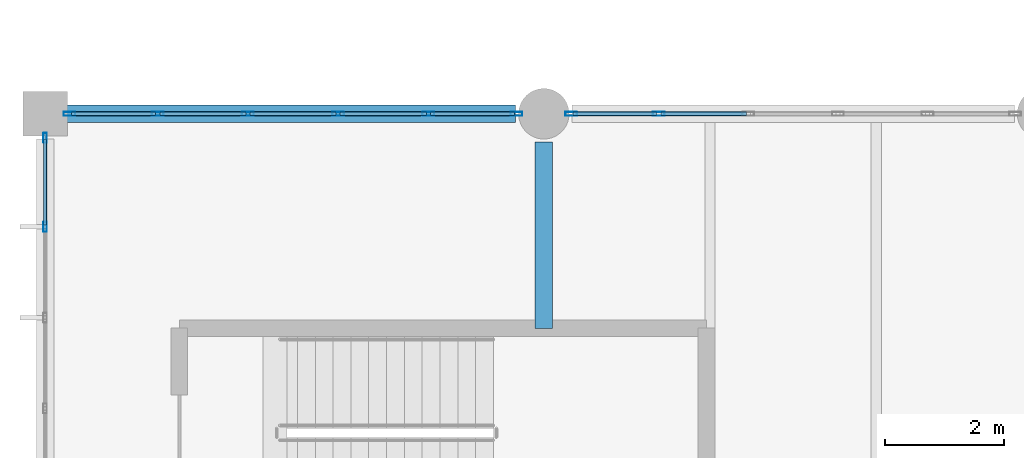
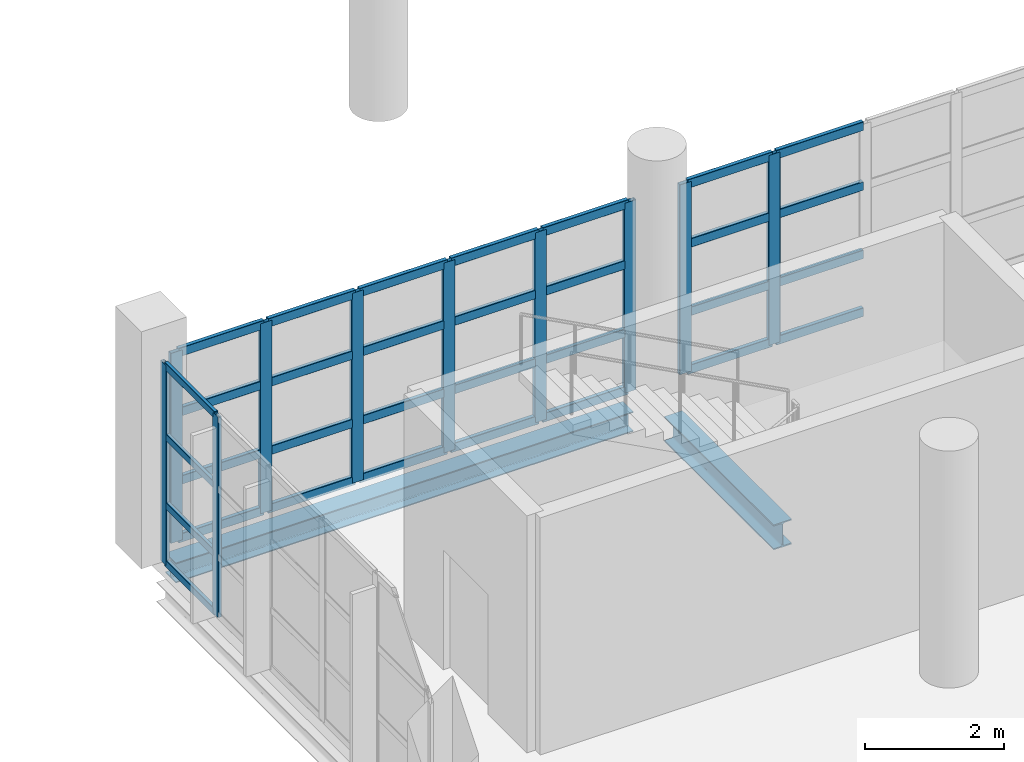
# One storey, part 72 of 177: 42 members, 2 beams, 3 elements without a shape of their own.
"""IFC4 building model written with IfcOpenShell, lengths in metres."""

from ifc_helpers import new_model, si_unit, direction, frame, origin, origin_2d, place, context, subcontext, project, spatial, hollow_rectangle, i_section, extrude, material, layer, layer_set, material_profile, profile_set, type_object, element, aggregate, save


model = new_model("IFC4")

# Units and contexts
model_context = context("Model", 3, precision=1e-05, world=origin(), true_north=direction((0.0, 1.0)))
body_context = subcontext(model_context, "Body", "Model", "MODEL_VIEW")
ifc_project = project(units=[si_unit("LENGTHUNIT", "METRE"), si_unit("AREAUNIT", "SQUARE_METRE"), si_unit("VOLUMEUNIT", "CUBIC_METRE"), si_unit("PLANEANGLEUNIT", "RADIAN"), si_unit("MASSUNIT", "GRAM", prefix="KILO"), si_unit("THERMODYNAMICTEMPERATUREUNIT", "KELVIN"), si_unit("POWERUNIT", "WATT")], contexts=[model_context])

# Site, building, storey
site_placement = place(None, origin())
site = spatial("IfcSite", under=ifc_project, at=site_placement, CompositionType="ELEMENT")
building_placement = place(site_placement, origin())
building = spatial("IfcBuilding", under=site, at=building_placement, Name="Mavoryth Pier Ferry Terminal", CompositionType="ELEMENT")
storey_placement = place(building_placement, frame((0.0, 0.0, 5.43994140625)))
storey = spatial("IfcBuildingStorey", under=building, at=storey_placement, Name="L01", CompositionType="ELEMENT", Elevation=5.43994140625)

# Beam
ifc_material_1 = material(Name="Steel S355J2", Category="steel")
ifc_material_profile_1 = material_profile(ifc_material_1, i_section(OverallWidth=0.300048828125, OverallDepth=0.43994140625, WebThickness=0.011474609375, FlangeThickness=0.02099609375, FilletRadius=0.027099609375, at=origin_2d()), Name="HEA 450", Category="steel")
ifc_profile_set_1 = profile_set([ifc_material_profile_1], Name="Steel S355J2 - HEA 450")
beam_type_1 = type_object("IfcBeamType", Name="Beam-Steel-HEA450", PredefinedType="BEAM", material=ifc_profile_set_1)
beam_1_placement = place(storey_placement, frame((8.39990234375, 102.3798828125, -0.5), z_axis=(0.0, 1.0, 0.0), x_axis=(-1.0, 0.0, 0.0)))
element("IfcBeam", 1, at=beam_1_placement, inside=storey, type_object=beam_type_1, Name="Beam B01-SB03-0091", PredefinedType="BEAM", context=body_context, shape_type="SweptSolid", body=[
    extrude(i_section(OverallWidth=0.300048828125, OverallDepth=0.43994140625, WebThickness=0.011474609375, FlangeThickness=0.02099609375, FilletRadius=0.027099609375, at=origin_2d()), origin(), (0.0, 0.0, 1.0), 3.14501953125),
])

# Curtain wall, members
ifc_material_2 = material(Name="Anodised Aluminium and Solar-Control Low-E Glass", Category="aluminium")
ifc_layer_1 = layer(ifc_material_2, 0.179931640625, Name="Anodised Aluminium and Solar-Control Low-E Glass", Category="aluminium")
ifc_layer_set_1 = layer_set([ifc_layer_1], Name="Anodised Aluminium and Solar-Control Low-E Glass - CW-Concourse-Mod1400")
curtain_wall_type_1 = type_object("IfcCurtainWallType", Name="CW-Concourse-Mod1400", PredefinedType="USERDEFINED", material=ifc_layer_set_1)
curtain_wall_1_placement = place(storey_placement, origin())
curtain_wall_1 = element("IfcCurtainWall", 2, at=curtain_wall_1_placement, inside=storey, type_object=curtain_wall_type_1, Name="Curtain Wall CW-0122-032", ObjectType="UNITISED CURTAIN WALL", PredefinedType="USERDEFINED")
ifc_material_3 = material(Name="Anodised Aluminium EN AW-6063", Category="aluminium")
ifc_material_profile_2 = material_profile(ifc_material_3, hollow_rectangle(XDim=0.06005859375, YDim=0.1650390625, WallThickness=0.00390625, InnerFilletRadius=0.00390625, OuterFilletRadius=0.008056640625, at=origin_2d()), Name="AL-MULL 165x60x4", Category="aluminium")
ifc_profile_set_2 = profile_set([ifc_material_profile_2], Name="Anodised Aluminium EN AW-6063 - AL-MULL 165x60x4")
member_type_1 = type_object("IfcMemberType", Name="Mullion-Alum-165x60", PredefinedType="MULLION", material=ifc_profile_set_2)
member_1_placement = place(storey_placement, frame((0.0, 105.594970703125, 0.0), z_axis=(0.0, 0.0, 1.0), x_axis=(1.0, 0.0, 0.0)))
member_1 = element("IfcMember", 3, at=member_1_placement, type_object=member_type_1, Name="CW01 mullion 1", PredefinedType="MULLION", context=body_context, shape_type="SweptSolid", body=[
    extrude(hollow_rectangle(XDim=0.06005859375, YDim=0.1650390625, WallThickness=0.00390625, InnerFilletRadius=0.00390625, OuterFilletRadius=0.008056640625, at=origin_2d()), origin(), (0.0, 0.0, 1.0), 3.51513671875),
])
member_2_placement = place(storey_placement, frame((0.0, 104.094970703125, 0.0), z_axis=(0.0, 0.0, 1.0), x_axis=(1.0, 0.0, 0.0)))
member_2 = element("IfcMember", 4, at=member_2_placement, type_object=member_type_1, Name="CW01 mullion 2", PredefinedType="MULLION", context=body_context, shape_type="SweptSolid", body=[
    extrude(hollow_rectangle(XDim=0.06005859375, YDim=0.1650390625, WallThickness=0.00390625, InnerFilletRadius=0.00390625, OuterFilletRadius=0.008056640625, at=origin_2d()), origin(), (0.0, 0.0, 1.0), 3.51513671875),
])

ifc_layer_2 = layer(ifc_material_2, 0.219970703125, Name="Anodised Aluminium and Solar-Control Low-E Glass", Category="aluminium")
ifc_layer_set_2 = layer_set([ifc_layer_2], Name="Anodised Aluminium and Solar-Control Low-E Glass - CW-Seaward-Tall-Mod1400")
curtain_wall_type_2 = type_object("IfcCurtainWallType", Name="CW-Seaward-Tall-Mod1400", PredefinedType="USERDEFINED", material=ifc_layer_set_2)
curtain_wall_2_placement = place(storey_placement, origin())
curtain_wall_2 = element("IfcCurtainWall", 5, at=curtain_wall_2_placement, inside=storey, type_object=curtain_wall_type_2, Name="Curtain Wall CW-0144-036", ObjectType="UNITISED CURTAIN WALL", PredefinedType="USERDEFINED")
ifc_material_profile_3 = material_profile(ifc_material_3, hollow_rectangle(XDim=0.070068359375, YDim=0.199951171875, WallThickness=0.0048828125, InnerFilletRadius=0.0048828125, OuterFilletRadius=0.010009765625, at=origin_2d()), Name="AL-MULL 200x70x5", Category="aluminium")
ifc_profile_set_3 = profile_set([ifc_material_profile_3], Name="Anodised Aluminium EN AW-6063 - AL-MULL 200x70x5")
member_type_2 = type_object("IfcMemberType", Name="Mullion-Alum-200x70", PredefinedType="MULLION", material=ifc_profile_set_3)
member_3_placement = place(storey_placement, frame((7.93994140625, 106.0, 0.0), z_axis=(0.0, 0.0, 1.0), x_axis=(0.0, -1.0, 0.0)))
member_3 = element("IfcMember", 6, at=member_3_placement, type_object=member_type_2, Name="CW03 mullion 1", PredefinedType="MULLION", context=body_context, shape_type="SweptSolid", body=[
    extrude(hollow_rectangle(XDim=0.070068359375, YDim=0.199951171875, WallThickness=0.0048828125, InnerFilletRadius=0.0048828125, OuterFilletRadius=0.010009765625, at=origin_2d()), origin(), (0.0, 0.0, 1.0), 3.3349609375),
])
member_4_placement = place(storey_placement, frame((6.455078125, 106.0, 0.0), z_axis=(0.0, 0.0, 1.0), x_axis=(0.0, -1.0, 0.0)))
member_4 = element("IfcMember", 7, at=member_4_placement, type_object=member_type_2, Name="CW03 mullion 2", PredefinedType="MULLION", context=body_context, shape_type="SweptSolid", body=[
    extrude(hollow_rectangle(XDim=0.070068359375, YDim=0.199951171875, WallThickness=0.0048828125, InnerFilletRadius=0.0048828125, OuterFilletRadius=0.010009765625, at=origin_2d()), origin(), (0.0, 0.0, 1.0), 3.3349609375),
])
member_5_placement = place(storey_placement, frame((4.93505859375, 106.0, 0.0), z_axis=(0.0, 0.0, 1.0), x_axis=(0.0, -1.0, 0.0)))
member_5 = element("IfcMember", 8, at=member_5_placement, type_object=member_type_2, Name="CW03 mullion 3", PredefinedType="MULLION", context=body_context, shape_type="SweptSolid", body=[
    extrude(hollow_rectangle(XDim=0.070068359375, YDim=0.199951171875, WallThickness=0.0048828125, InnerFilletRadius=0.0048828125, OuterFilletRadius=0.010009765625, at=origin_2d()), origin(), (0.0, 0.0, 1.0), 3.3349609375),
])
member_6_placement = place(storey_placement, frame((3.4150390625, 106.0, 0.0), z_axis=(0.0, 0.0, 1.0), x_axis=(0.0, -1.0, 0.0)))
member_6 = element("IfcMember", 9, at=member_6_placement, type_object=member_type_2, Name="CW03 mullion 4", PredefinedType="MULLION", context=body_context, shape_type="SweptSolid", body=[
    extrude(hollow_rectangle(XDim=0.070068359375, YDim=0.199951171875, WallThickness=0.0048828125, InnerFilletRadius=0.0048828125, OuterFilletRadius=0.010009765625, at=origin_2d()), origin(), (0.0, 0.0, 1.0), 3.3349609375),
])
member_7_placement = place(storey_placement, frame((1.89501953125, 106.0, 0.0), z_axis=(0.0, 0.0, 1.0), x_axis=(0.0, -1.0, 0.0)))
member_7 = element("IfcMember", 10, at=member_7_placement, type_object=member_type_2, Name="CW03 mullion 5", PredefinedType="MULLION", context=body_context, shape_type="SweptSolid", body=[
    extrude(hollow_rectangle(XDim=0.070068359375, YDim=0.199951171875, WallThickness=0.0048828125, InnerFilletRadius=0.0048828125, OuterFilletRadius=0.010009765625, at=origin_2d()), origin(), (0.0, 0.0, 1.0), 3.3349609375),
])
member_8_placement = place(storey_placement, frame((0.409912109375, 106.0, 0.0), z_axis=(0.0, 0.0, 1.0), x_axis=(0.0, -1.0, 0.0)))
member_8 = element("IfcMember", 11, at=member_8_placement, type_object=member_type_2, Name="CW03 mullion 6", PredefinedType="MULLION", context=body_context, shape_type="SweptSolid", body=[
    extrude(hollow_rectangle(XDim=0.070068359375, YDim=0.199951171875, WallThickness=0.0048828125, InnerFilletRadius=0.0048828125, OuterFilletRadius=0.010009765625, at=origin_2d()), origin(), (0.0, 0.0, 1.0), 3.3349609375),
])

curtain_wall_3_placement = place(storey_placement, origin())
curtain_wall_3 = element("IfcCurtainWall", 12, at=curtain_wall_3_placement, inside=storey, type_object=curtain_wall_type_2, Name="Curtain Wall CW-0144-040", ObjectType="UNITISED CURTAIN WALL", PredefinedType="USERDEFINED")
member_9_placement = place(storey_placement, frame((10.3349609375, 106.0, 0.0), z_axis=(0.0, 0.0, 1.0), x_axis=(0.0, -1.0, 0.0)))
member_9 = element("IfcMember", 13, at=member_9_placement, type_object=member_type_2, Name="CW03 mullion 5", PredefinedType="MULLION", context=body_context, shape_type="SweptSolid", body=[
    extrude(hollow_rectangle(XDim=0.070068359375, YDim=0.199951171875, WallThickness=0.0048828125, InnerFilletRadius=0.0048828125, OuterFilletRadius=0.010009765625, at=origin_2d()), origin(), (0.0, 0.0, 1.0), 3.3349609375),
])
member_10_placement = place(storey_placement, frame((8.860107421875, 106.0, 0.0), z_axis=(0.0, 0.0, 1.0), x_axis=(0.0, -1.0, 0.0)))
member_10 = element("IfcMember", 14, at=member_10_placement, type_object=member_type_2, Name="CW03 mullion 6", PredefinedType="MULLION", context=body_context, shape_type="SweptSolid", body=[
    extrude(hollow_rectangle(XDim=0.070068359375, YDim=0.199951171875, WallThickness=0.0048828125, InnerFilletRadius=0.0048828125, OuterFilletRadius=0.010009765625, at=origin_2d()), origin(), (0.0, 0.0, 1.0), 3.3349609375),
])

# Beam
ifc_material_profile_4 = material_profile(ifc_material_1, i_section(OverallWidth=0.300048828125, OverallDepth=0.35009765625, WebThickness=0.010009765625, FlangeThickness=0.017578125, FilletRadius=0.027099609375, at=origin_2d()), Name="HEA 360", Category="steel")
ifc_profile_set_4 = profile_set([ifc_material_profile_4], Name="Steel S355J2 - HEA 360")
beam_type_2 = type_object("IfcBeamType", Name="Spandrel-Steel-HEA360", PredefinedType="SPANDREL", material=ifc_profile_set_4)
beam_2_placement = place(storey_placement, frame((0.324951171875, 106.0, -0.454833984375), z_axis=(1.0, 0.0, 0.0), x_axis=(0.0, 1.0, 0.0)))
element("IfcBeam", 15, at=beam_2_placement, inside=storey, type_object=beam_type_2, Name="Beam B01-SP03-0074", PredefinedType="SPANDREL", context=body_context, shape_type="SweptSolid", body=[
    extrude(i_section(OverallWidth=0.300048828125, OverallDepth=0.35009765625, WebThickness=0.010009765625, FlangeThickness=0.017578125, FilletRadius=0.027099609375, at=origin_2d()), origin(), (0.0, 0.0, 1.0), 7.60009765625),
])

# Member
ifc_material_profile_5 = material_profile(ifc_material_3, hollow_rectangle(XDim=0.06005859375, YDim=0.125, WallThickness=0.00390625, InnerFilletRadius=0.00390625, OuterFilletRadius=0.008056640625, at=origin_2d()), Name="AL-TRAN 125x60x4", Category="aluminium")
ifc_profile_set_5 = profile_set([ifc_material_profile_5], Name="Anodised Aluminium EN AW-6063 - AL-TRAN 125x60x4")
member_type_3 = type_object("IfcMemberType", Name="Transom-Alum-125x60", PredefinedType="USERDEFINED", material=ifc_profile_set_5)
member_11_placement = place(storey_placement, frame((0.0, 105.56494140625, 0.030029296875), z_axis=(0.0, -1.0, 0.0), x_axis=(1.0, 0.0, 0.0)))
member_11 = element("IfcMember", 16, at=member_11_placement, type_object=member_type_3, Name="CW01 transom 1.1", ObjectType="TRANSOM", PredefinedType="USERDEFINED", context=body_context, shape_type="SweptSolid", body=[
    extrude(hollow_rectangle(XDim=0.06005859375, YDim=0.125, WallThickness=0.00390625, InnerFilletRadius=0.00390625, OuterFilletRadius=0.008056640625, at=origin_2d()), origin(), (0.0, 0.0, 1.0), 1.43994140625),
])

member_12_placement = place(storey_placement, frame((0.0, 105.56494140625, 1.050048828125), z_axis=(0.0, -1.0, 0.0), x_axis=(1.0, 0.0, 0.0)))
member_12 = element("IfcMember", 17, at=member_12_placement, type_object=member_type_3, Name="CW01 transom 1.2", ObjectType="TRANSOM", PredefinedType="USERDEFINED", context=body_context, shape_type="SweptSolid", body=[
    extrude(hollow_rectangle(XDim=0.06005859375, YDim=0.125, WallThickness=0.00390625, InnerFilletRadius=0.00390625, OuterFilletRadius=0.008056640625, at=origin_2d()), origin(), (0.0, 0.0, 1.0), 1.43994140625),
])

member_13_placement = place(storey_placement, frame((0.0, 105.56494140625, 2.25), z_axis=(0.0, -1.0, 0.0), x_axis=(1.0, 0.0, 0.0)))
member_13 = element("IfcMember", 18, at=member_13_placement, type_object=member_type_3, Name="CW01 transom 1.3", ObjectType="TRANSOM", PredefinedType="USERDEFINED", context=body_context, shape_type="SweptSolid", body=[
    extrude(hollow_rectangle(XDim=0.06005859375, YDim=0.125, WallThickness=0.00390625, InnerFilletRadius=0.00390625, OuterFilletRadius=0.008056640625, at=origin_2d()), origin(), (0.0, 0.0, 1.0), 1.43994140625),
])

member_14_placement = place(storey_placement, frame((0.0, 105.56494140625, 3.485107421875), z_axis=(0.0, -1.0, 0.0), x_axis=(1.0, 0.0, 0.0)))
member_14 = element("IfcMember", 19, at=member_14_placement, type_object=member_type_3, Name="CW01 transom 1.4", ObjectType="TRANSOM", PredefinedType="USERDEFINED", context=body_context, shape_type="SweptSolid", body=[
    extrude(hollow_rectangle(XDim=0.06005859375, YDim=0.125, WallThickness=0.00390625, InnerFilletRadius=0.00390625, OuterFilletRadius=0.008056640625, at=origin_2d()), origin(), (0.0, 0.0, 1.0), 1.43994140625),
])

aggregate(curtain_wall_1, [member_1, member_2, member_11, member_12, member_13, member_14])

ifc_material_profile_6 = material_profile(ifc_material_3, hollow_rectangle(XDim=0.070068359375, YDim=0.155029296875, WallThickness=0.00390625, InnerFilletRadius=0.00390625, OuterFilletRadius=0.008056640625, at=origin_2d()), Name="AL-TRAN 155x70x4", Category="aluminium")
ifc_profile_set_6 = profile_set([ifc_material_profile_6], Name="Anodised Aluminium EN AW-6063 - AL-TRAN 155x70x4")
member_type_4 = type_object("IfcMemberType", Name="Transom-Alum-155x70", PredefinedType="USERDEFINED", material=ifc_profile_set_6)
member_15_placement = place(storey_placement, frame((7.905029296875, 106.0, 0.03515625), z_axis=(-1.0, 0.0, 0.0), x_axis=(0.0, -1.0, 0.0)))
member_15 = element("IfcMember", 20, at=member_15_placement, type_object=member_type_4, Name="CW03 transom 1.1", ObjectType="TRANSOM", PredefinedType="USERDEFINED", context=body_context, shape_type="SweptSolid", body=[
    extrude(hollow_rectangle(XDim=0.070068359375, YDim=0.155029296875, WallThickness=0.00390625, InnerFilletRadius=0.00390625, OuterFilletRadius=0.008056640625, at=origin_2d()), origin(), (0.0, 0.0, 1.0), 1.4150390625),
])

member_16_placement = place(storey_placement, frame((7.905029296875, 106.0, 1.050048828125), z_axis=(-1.0, 0.0, 0.0), x_axis=(0.0, -1.0, 0.0)))
member_16 = element("IfcMember", 21, at=member_16_placement, type_object=member_type_4, Name="CW03 transom 1.2", ObjectType="TRANSOM", PredefinedType="USERDEFINED", context=body_context, shape_type="SweptSolid", body=[
    extrude(hollow_rectangle(XDim=0.070068359375, YDim=0.155029296875, WallThickness=0.00390625, InnerFilletRadius=0.00390625, OuterFilletRadius=0.008056640625, at=origin_2d()), origin(), (0.0, 0.0, 1.0), 1.4150390625),
])

member_17_placement = place(storey_placement, frame((7.905029296875, 106.0, 2.25), z_axis=(-1.0, 0.0, 0.0), x_axis=(0.0, -1.0, 0.0)))
member_17 = element("IfcMember", 22, at=member_17_placement, type_object=member_type_4, Name="CW03 transom 1.3", ObjectType="TRANSOM", PredefinedType="USERDEFINED", context=body_context, shape_type="SweptSolid", body=[
    extrude(hollow_rectangle(XDim=0.070068359375, YDim=0.155029296875, WallThickness=0.00390625, InnerFilletRadius=0.00390625, OuterFilletRadius=0.008056640625, at=origin_2d()), origin(), (0.0, 0.0, 1.0), 1.4150390625),
])

member_18_placement = place(storey_placement, frame((7.905029296875, 106.0, 3.300048828125), z_axis=(-1.0, 0.0, 0.0), x_axis=(0.0, -1.0, 0.0)))
member_18 = element("IfcMember", 23, at=member_18_placement, type_object=member_type_4, Name="CW03 transom 1.4", ObjectType="TRANSOM", PredefinedType="USERDEFINED", context=body_context, shape_type="SweptSolid", body=[
    extrude(hollow_rectangle(XDim=0.070068359375, YDim=0.155029296875, WallThickness=0.00390625, InnerFilletRadius=0.00390625, OuterFilletRadius=0.008056640625, at=origin_2d()), origin(), (0.0, 0.0, 1.0), 1.4150390625),
])

member_19_placement = place(storey_placement, frame((6.419921875, 106.0, 0.03515625), z_axis=(-1.0, 0.0, 0.0), x_axis=(0.0, -1.0, 0.0)))
member_19 = element("IfcMember", 24, at=member_19_placement, type_object=member_type_4, Name="CW03 transom 2.1", ObjectType="TRANSOM", PredefinedType="USERDEFINED", context=body_context, shape_type="SweptSolid", body=[
    extrude(hollow_rectangle(XDim=0.070068359375, YDim=0.155029296875, WallThickness=0.00390625, InnerFilletRadius=0.00390625, OuterFilletRadius=0.008056640625, at=origin_2d()), origin(), (0.0, 0.0, 1.0), 1.449951171875),
])

member_20_placement = place(storey_placement, frame((6.419921875, 106.0, 1.050048828125), z_axis=(-1.0, 0.0, 0.0), x_axis=(0.0, -1.0, 0.0)))
member_20 = element("IfcMember", 25, at=member_20_placement, type_object=member_type_4, Name="CW03 transom 2.2", ObjectType="TRANSOM", PredefinedType="USERDEFINED", context=body_context, shape_type="SweptSolid", body=[
    extrude(hollow_rectangle(XDim=0.070068359375, YDim=0.155029296875, WallThickness=0.00390625, InnerFilletRadius=0.00390625, OuterFilletRadius=0.008056640625, at=origin_2d()), origin(), (0.0, 0.0, 1.0), 1.449951171875),
])

member_21_placement = place(storey_placement, frame((6.419921875, 106.0, 2.25), z_axis=(-1.0, 0.0, 0.0), x_axis=(0.0, -1.0, 0.0)))
member_21 = element("IfcMember", 26, at=member_21_placement, type_object=member_type_4, Name="CW03 transom 2.3", ObjectType="TRANSOM", PredefinedType="USERDEFINED", context=body_context, shape_type="SweptSolid", body=[
    extrude(hollow_rectangle(XDim=0.070068359375, YDim=0.155029296875, WallThickness=0.00390625, InnerFilletRadius=0.00390625, OuterFilletRadius=0.008056640625, at=origin_2d()), origin(), (0.0, 0.0, 1.0), 1.449951171875),
])

member_22_placement = place(storey_placement, frame((6.419921875, 106.0, 3.300048828125), z_axis=(-1.0, 0.0, 0.0), x_axis=(0.0, -1.0, 0.0)))
member_22 = element("IfcMember", 27, at=member_22_placement, type_object=member_type_4, Name="CW03 transom 2.4", ObjectType="TRANSOM", PredefinedType="USERDEFINED", context=body_context, shape_type="SweptSolid", body=[
    extrude(hollow_rectangle(XDim=0.070068359375, YDim=0.155029296875, WallThickness=0.00390625, InnerFilletRadius=0.00390625, OuterFilletRadius=0.008056640625, at=origin_2d()), origin(), (0.0, 0.0, 1.0), 1.449951171875),
])

member_23_placement = place(storey_placement, frame((4.89990234375, 106.0, 0.03515625), z_axis=(-1.0, 0.0, 0.0), x_axis=(0.0, -1.0, 0.0)))
member_23 = element("IfcMember", 28, at=member_23_placement, type_object=member_type_4, Name="CW03 transom 3.1", ObjectType="TRANSOM", PredefinedType="USERDEFINED", context=body_context, shape_type="SweptSolid", body=[
    extrude(hollow_rectangle(XDim=0.070068359375, YDim=0.155029296875, WallThickness=0.00390625, InnerFilletRadius=0.00390625, OuterFilletRadius=0.008056640625, at=origin_2d()), origin(), (0.0, 0.0, 1.0), 1.449951171875),
])

member_24_placement = place(storey_placement, frame((4.89990234375, 106.0, 1.050048828125), z_axis=(-1.0, 0.0, 0.0), x_axis=(0.0, -1.0, 0.0)))
member_24 = element("IfcMember", 29, at=member_24_placement, type_object=member_type_4, Name="CW03 transom 3.2", ObjectType="TRANSOM", PredefinedType="USERDEFINED", context=body_context, shape_type="SweptSolid", body=[
    extrude(hollow_rectangle(XDim=0.070068359375, YDim=0.155029296875, WallThickness=0.00390625, InnerFilletRadius=0.00390625, OuterFilletRadius=0.008056640625, at=origin_2d()), origin(), (0.0, 0.0, 1.0), 1.449951171875),
])

member_25_placement = place(storey_placement, frame((4.89990234375, 106.0, 2.25), z_axis=(-1.0, 0.0, 0.0), x_axis=(0.0, -1.0, 0.0)))
member_25 = element("IfcMember", 30, at=member_25_placement, type_object=member_type_4, Name="CW03 transom 3.3", ObjectType="TRANSOM", PredefinedType="USERDEFINED", context=body_context, shape_type="SweptSolid", body=[
    extrude(hollow_rectangle(XDim=0.070068359375, YDim=0.155029296875, WallThickness=0.00390625, InnerFilletRadius=0.00390625, OuterFilletRadius=0.008056640625, at=origin_2d()), origin(), (0.0, 0.0, 1.0), 1.449951171875),
])

member_26_placement = place(storey_placement, frame((4.89990234375, 106.0, 3.300048828125), z_axis=(-1.0, 0.0, 0.0), x_axis=(0.0, -1.0, 0.0)))
member_26 = element("IfcMember", 31, at=member_26_placement, type_object=member_type_4, Name="CW03 transom 3.4", ObjectType="TRANSOM", PredefinedType="USERDEFINED", context=body_context, shape_type="SweptSolid", body=[
    extrude(hollow_rectangle(XDim=0.070068359375, YDim=0.155029296875, WallThickness=0.00390625, InnerFilletRadius=0.00390625, OuterFilletRadius=0.008056640625, at=origin_2d()), origin(), (0.0, 0.0, 1.0), 1.449951171875),
])

member_27_placement = place(storey_placement, frame((3.3798828125, 106.0, 0.03515625), z_axis=(-1.0, 0.0, 0.0), x_axis=(0.0, -1.0, 0.0)))
member_27 = element("IfcMember", 32, at=member_27_placement, type_object=member_type_4, Name="CW03 transom 4.1", ObjectType="TRANSOM", PredefinedType="USERDEFINED", context=body_context, shape_type="SweptSolid", body=[
    extrude(hollow_rectangle(XDim=0.070068359375, YDim=0.155029296875, WallThickness=0.00390625, InnerFilletRadius=0.00390625, OuterFilletRadius=0.008056640625, at=origin_2d()), origin(), (0.0, 0.0, 1.0), 1.449951171875),
])

member_28_placement = place(storey_placement, frame((3.3798828125, 106.0, 1.050048828125), z_axis=(-1.0, 0.0, 0.0), x_axis=(0.0, -1.0, 0.0)))
member_28 = element("IfcMember", 33, at=member_28_placement, type_object=member_type_4, Name="CW03 transom 4.2", ObjectType="TRANSOM", PredefinedType="USERDEFINED", context=body_context, shape_type="SweptSolid", body=[
    extrude(hollow_rectangle(XDim=0.070068359375, YDim=0.155029296875, WallThickness=0.00390625, InnerFilletRadius=0.00390625, OuterFilletRadius=0.008056640625, at=origin_2d()), origin(), (0.0, 0.0, 1.0), 1.449951171875),
])

member_29_placement = place(storey_placement, frame((3.3798828125, 106.0, 2.25), z_axis=(-1.0, 0.0, 0.0), x_axis=(0.0, -1.0, 0.0)))
member_29 = element("IfcMember", 34, at=member_29_placement, type_object=member_type_4, Name="CW03 transom 4.3", ObjectType="TRANSOM", PredefinedType="USERDEFINED", context=body_context, shape_type="SweptSolid", body=[
    extrude(hollow_rectangle(XDim=0.070068359375, YDim=0.155029296875, WallThickness=0.00390625, InnerFilletRadius=0.00390625, OuterFilletRadius=0.008056640625, at=origin_2d()), origin(), (0.0, 0.0, 1.0), 1.449951171875),
])

member_30_placement = place(storey_placement, frame((3.3798828125, 106.0, 3.300048828125), z_axis=(-1.0, 0.0, 0.0), x_axis=(0.0, -1.0, 0.0)))
member_30 = element("IfcMember", 35, at=member_30_placement, type_object=member_type_4, Name="CW03 transom 4.4", ObjectType="TRANSOM", PredefinedType="USERDEFINED", context=body_context, shape_type="SweptSolid", body=[
    extrude(hollow_rectangle(XDim=0.070068359375, YDim=0.155029296875, WallThickness=0.00390625, InnerFilletRadius=0.00390625, OuterFilletRadius=0.008056640625, at=origin_2d()), origin(), (0.0, 0.0, 1.0), 1.449951171875),
])

member_31_placement = place(storey_placement, frame((1.860107421875, 106.0, 0.03515625), z_axis=(-1.0, 0.0, 0.0), x_axis=(0.0, -1.0, 0.0)))
member_31 = element("IfcMember", 36, at=member_31_placement, type_object=member_type_4, Name="CW03 transom 5.1", ObjectType="TRANSOM", PredefinedType="USERDEFINED", context=body_context, shape_type="SweptSolid", body=[
    extrude(hollow_rectangle(XDim=0.070068359375, YDim=0.155029296875, WallThickness=0.00390625, InnerFilletRadius=0.00390625, OuterFilletRadius=0.008056640625, at=origin_2d()), origin(), (0.0, 0.0, 1.0), 1.4150390625),
])

member_32_placement = place(storey_placement, frame((1.860107421875, 106.0, 1.050048828125), z_axis=(-1.0, 0.0, 0.0), x_axis=(0.0, -1.0, 0.0)))
member_32 = element("IfcMember", 37, at=member_32_placement, type_object=member_type_4, Name="CW03 transom 5.2", ObjectType="TRANSOM", PredefinedType="USERDEFINED", context=body_context, shape_type="SweptSolid", body=[
    extrude(hollow_rectangle(XDim=0.070068359375, YDim=0.155029296875, WallThickness=0.00390625, InnerFilletRadius=0.00390625, OuterFilletRadius=0.008056640625, at=origin_2d()), origin(), (0.0, 0.0, 1.0), 1.4150390625),
])

member_33_placement = place(storey_placement, frame((1.860107421875, 106.0, 2.25), z_axis=(-1.0, 0.0, 0.0), x_axis=(0.0, -1.0, 0.0)))
member_33 = element("IfcMember", 38, at=member_33_placement, type_object=member_type_4, Name="CW03 transom 5.3", ObjectType="TRANSOM", PredefinedType="USERDEFINED", context=body_context, shape_type="SweptSolid", body=[
    extrude(hollow_rectangle(XDim=0.070068359375, YDim=0.155029296875, WallThickness=0.00390625, InnerFilletRadius=0.00390625, OuterFilletRadius=0.008056640625, at=origin_2d()), origin(), (0.0, 0.0, 1.0), 1.4150390625),
])

member_34_placement = place(storey_placement, frame((1.860107421875, 106.0, 3.300048828125), z_axis=(-1.0, 0.0, 0.0), x_axis=(0.0, -1.0, 0.0)))
member_34 = element("IfcMember", 39, at=member_34_placement, type_object=member_type_4, Name="CW03 transom 5.4", ObjectType="TRANSOM", PredefinedType="USERDEFINED", context=body_context, shape_type="SweptSolid", body=[
    extrude(hollow_rectangle(XDim=0.070068359375, YDim=0.155029296875, WallThickness=0.00390625, InnerFilletRadius=0.00390625, OuterFilletRadius=0.008056640625, at=origin_2d()), origin(), (0.0, 0.0, 1.0), 1.4150390625),
])

aggregate(curtain_wall_2, [member_3, member_4, member_5, member_6, member_7, member_8, member_15, member_16, member_17, member_18, member_19, member_20, member_21, member_22, member_23, member_24, member_25, member_26, member_27, member_28, member_29, member_30, member_31, member_32, member_33, member_34])

member_35_placement = place(storey_placement, frame((11.81005859375, 106.0, 0.03515625), z_axis=(-1.0, 0.0, 0.0), x_axis=(0.0, -1.0, 0.0)))
member_35 = element("IfcMember", 40, at=member_35_placement, type_object=member_type_4, Name="CW03 transom 4.1", ObjectType="TRANSOM", PredefinedType="USERDEFINED", context=body_context, shape_type="SweptSolid", body=[
    extrude(hollow_rectangle(XDim=0.070068359375, YDim=0.155029296875, WallThickness=0.00390625, InnerFilletRadius=0.00390625, OuterFilletRadius=0.008056640625, at=origin_2d()), origin(), (0.0, 0.0, 1.0), 1.43994140625),
])

member_36_placement = place(storey_placement, frame((11.81005859375, 106.0, 1.050048828125), z_axis=(-1.0, 0.0, 0.0), x_axis=(0.0, -1.0, 0.0)))
member_36 = element("IfcMember", 41, at=member_36_placement, type_object=member_type_4, Name="CW03 transom 4.2", ObjectType="TRANSOM", PredefinedType="USERDEFINED", context=body_context, shape_type="SweptSolid", body=[
    extrude(hollow_rectangle(XDim=0.070068359375, YDim=0.155029296875, WallThickness=0.00390625, InnerFilletRadius=0.00390625, OuterFilletRadius=0.008056640625, at=origin_2d()), origin(), (0.0, 0.0, 1.0), 1.43994140625),
])

member_37_placement = place(storey_placement, frame((11.81005859375, 106.0, 2.25), z_axis=(-1.0, 0.0, 0.0), x_axis=(0.0, -1.0, 0.0)))
member_37 = element("IfcMember", 42, at=member_37_placement, type_object=member_type_4, Name="CW03 transom 4.3", ObjectType="TRANSOM", PredefinedType="USERDEFINED", context=body_context, shape_type="SweptSolid", body=[
    extrude(hollow_rectangle(XDim=0.070068359375, YDim=0.155029296875, WallThickness=0.00390625, InnerFilletRadius=0.00390625, OuterFilletRadius=0.008056640625, at=origin_2d()), origin(), (0.0, 0.0, 1.0), 1.43994140625),
])

member_38_placement = place(storey_placement, frame((11.81005859375, 106.0, 3.300048828125), z_axis=(-1.0, 0.0, 0.0), x_axis=(0.0, -1.0, 0.0)))
member_38 = element("IfcMember", 43, at=member_38_placement, type_object=member_type_4, Name="CW03 transom 4.4", ObjectType="TRANSOM", PredefinedType="USERDEFINED", context=body_context, shape_type="SweptSolid", body=[
    extrude(hollow_rectangle(XDim=0.070068359375, YDim=0.155029296875, WallThickness=0.00390625, InnerFilletRadius=0.00390625, OuterFilletRadius=0.008056640625, at=origin_2d()), origin(), (0.0, 0.0, 1.0), 1.43994140625),
])

member_39_placement = place(storey_placement, frame((10.300048828125, 106.0, 0.03515625), z_axis=(-1.0, 0.0, 0.0), x_axis=(0.0, -1.0, 0.0)))
member_39 = element("IfcMember", 44, at=member_39_placement, type_object=member_type_4, Name="CW03 transom 5.1", ObjectType="TRANSOM", PredefinedType="USERDEFINED", context=body_context, shape_type="SweptSolid", body=[
    extrude(hollow_rectangle(XDim=0.070068359375, YDim=0.155029296875, WallThickness=0.00390625, InnerFilletRadius=0.00390625, OuterFilletRadius=0.008056640625, at=origin_2d()), origin(), (0.0, 0.0, 1.0), 1.405029296875),
])

member_40_placement = place(storey_placement, frame((10.300048828125, 106.0, 1.050048828125), z_axis=(-1.0, 0.0, 0.0), x_axis=(0.0, -1.0, 0.0)))
member_40 = element("IfcMember", 45, at=member_40_placement, type_object=member_type_4, Name="CW03 transom 5.2", ObjectType="TRANSOM", PredefinedType="USERDEFINED", context=body_context, shape_type="SweptSolid", body=[
    extrude(hollow_rectangle(XDim=0.070068359375, YDim=0.155029296875, WallThickness=0.00390625, InnerFilletRadius=0.00390625, OuterFilletRadius=0.008056640625, at=origin_2d()), origin(), (0.0, 0.0, 1.0), 1.405029296875),
])

member_41_placement = place(storey_placement, frame((10.300048828125, 106.0, 2.25), z_axis=(-1.0, 0.0, 0.0), x_axis=(0.0, -1.0, 0.0)))
member_41 = element("IfcMember", 46, at=member_41_placement, type_object=member_type_4, Name="CW03 transom 5.3", ObjectType="TRANSOM", PredefinedType="USERDEFINED", context=body_context, shape_type="SweptSolid", body=[
    extrude(hollow_rectangle(XDim=0.070068359375, YDim=0.155029296875, WallThickness=0.00390625, InnerFilletRadius=0.00390625, OuterFilletRadius=0.008056640625, at=origin_2d()), origin(), (0.0, 0.0, 1.0), 1.405029296875),
])

member_42_placement = place(storey_placement, frame((10.300048828125, 106.0, 3.300048828125), z_axis=(-1.0, 0.0, 0.0), x_axis=(0.0, -1.0, 0.0)))
member_42 = element("IfcMember", 47, at=member_42_placement, type_object=member_type_4, Name="CW03 transom 5.4", ObjectType="TRANSOM", PredefinedType="USERDEFINED", context=body_context, shape_type="SweptSolid", body=[
    extrude(hollow_rectangle(XDim=0.070068359375, YDim=0.155029296875, WallThickness=0.00390625, InnerFilletRadius=0.00390625, OuterFilletRadius=0.008056640625, at=origin_2d()), origin(), (0.0, 0.0, 1.0), 1.405029296875),
])

aggregate(curtain_wall_3, [member_9, member_10, member_35, member_36, member_37, member_38, member_39, member_40, member_41, member_42])

save(model, "model.ifc")
